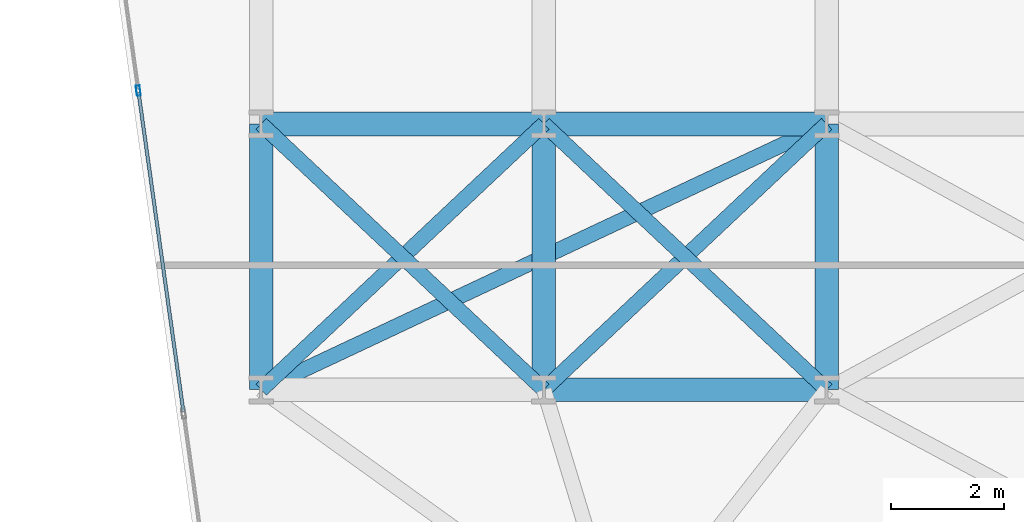
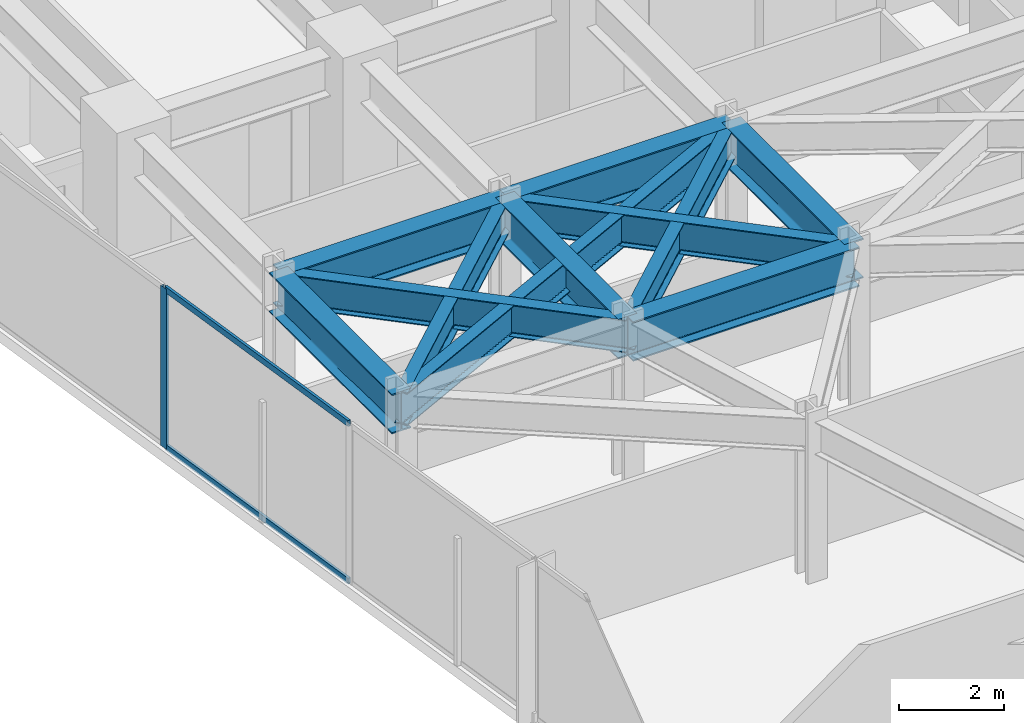
# One storey, part 8 of 25: 11 beams, 3 members, 1 element without a shape of its own.
"""IFC4 building model written with IfcOpenShell, lengths in metres."""

from ifc_helpers import new_model, si_unit, direction, frame, origin, origin_2d, place, context, subcontext, project, spatial, hollow_rectangle, i_section, extrude, material, layer, layer_set, material_profile, profile_set, type_object, element, aggregate, save


model = new_model("IFC4")

# Units and contexts
model_context = context("Model", 3, precision=1e-05, world=origin(), true_north=direction((0.0, 1.0)))
body_context = subcontext(model_context, "Body", "Model", "MODEL_VIEW")
ifc_project = project(units=[si_unit("LENGTHUNIT", "METRE"), si_unit("AREAUNIT", "SQUARE_METRE"), si_unit("VOLUMEUNIT", "CUBIC_METRE"), si_unit("PLANEANGLEUNIT", "RADIAN"), si_unit("MASSUNIT", "GRAM", prefix="KILO")], contexts=[model_context])

# Site, building, storey
site_placement = place(None, origin())
site = spatial("IfcSite", under=ifc_project, at=site_placement, CompositionType="ELEMENT")
building_placement = place(site_placement, origin())
building = spatial("IfcBuilding", under=site, at=building_placement, Name="Kravanh Interchange Tower", CompositionType="ELEMENT")
storey_placement = place(building_placement, frame((0.0, 0.0, 65.5)))
storey = spatial("IfcBuildingStorey", under=building, at=storey_placement, Name="L15", CompositionType="ELEMENT", Elevation=65.5)

# Curtain wall, members
ifc_material_1 = material(Name="Anodised Bronze Aluminium", Category="aluminium")
ifc_layer = layer(ifc_material_1, 0.179931640625)
ifc_layer_set = layer_set([ifc_layer], Name="Unitised Curtain Wall System CW-Z1 Lower Office")
curtain_wall_type = type_object("IfcCurtainWallType", Name="Unitised Curtain Wall System CW-Z1 Lower Office", PredefinedType="NOTDEFINED", material=ifc_layer_set)
curtain_wall_placement = place(storey_placement, origin())
curtain_wall = element("IfcCurtainWall", 1, at=curtain_wall_placement, inside=storey, type_object=curtain_wall_type, Name="L15 Unitised Curtain Wall CW-L15-01", PredefinedType="NOTDEFINED")
ifc_material_2 = material(Name="Anodised Bronze Aluminium", Category="aluminium")
ifc_material_profile_1 = material_profile(ifc_material_2, hollow_rectangle(XDim=0.070068359375, YDim=0.179931640625, WallThickness=0.00390625, at=origin_2d()), Name="ALU70X180X4")
ifc_profile_set_1 = profile_set([ifc_material_profile_1], Name="Anodised Bronze Aluminium")
member_type_1 = type_object("IfcMemberType", Name="Curtain Wall Mullion ALU70X180X4 Bronze", PredefinedType="MULLION", material=ifc_profile_set_1)
member_1_placement = place(storey_placement, frame((6.427490234375, 32.08935546875, 0.0), z_axis=(0.0, 0.0, 1.0), x_axis=(-0.990267585682, -0.139176538065, 0.0)))
member_1 = element("IfcMember", 2, at=member_1_placement, type_object=member_type_1, Name="CW-Z1 mullion 6", PredefinedType="MULLION", context=body_context, shape_type="SweptSolid", body=[
    extrude(hollow_rectangle(XDim=0.070068359375, YDim=0.179931640625, WallThickness=0.00390625, at=origin_2d()), origin(), (0.0, 0.0, 1.0), 3.739990234375),
])
ifc_material_3 = material(Name="Anodised Bronze Aluminium", Category="aluminium")
ifc_material_profile_2 = material_profile(ifc_material_3, hollow_rectangle(XDim=0.06005859375, YDim=0.139892578125, WallThickness=0.00390625, at=origin_2d()), Name="ALU60X140X4")
ifc_profile_set_2 = profile_set([ifc_material_profile_2], Name="Anodised Bronze Aluminium")
member_type_2 = type_object("IfcMemberType", Name="Curtain Wall Transom ALU60X140X4 Bronze", PredefinedType="USERDEFINED", material=ifc_profile_set_2)
member_2_placement = place(storey_placement, frame((7.22509765625, 26.41357421875, 0.030029296875), z_axis=(-0.139158957544, 0.990270056366, 0.0), x_axis=(-0.990270056366, -0.139158957544, 0.0)))
member_2 = element("IfcMember", 3, at=member_2_placement, type_object=member_type_2, Name="CW-Z1 transom 5.1", ObjectType="TRANSOM", PredefinedType="USERDEFINED", context=body_context, shape_type="SweptSolid", body=[
    extrude(hollow_rectangle(XDim=0.06005859375, YDim=0.139892578125, WallThickness=0.00390625, at=origin_2d()), origin(), (0.0, 0.0, 1.0), 5.696533203125),
])
member_3_placement = place(storey_placement, frame((7.22509765625, 26.41357421875, 3.7099609375), z_axis=(-0.139158957544, 0.990270056366, 0.0), x_axis=(-0.990270056366, -0.139158957544, 0.0)))
member_3 = element("IfcMember", 4, at=member_3_placement, type_object=member_type_2, Name="CW-Z1 transom 5.2", ObjectType="TRANSOM", PredefinedType="USERDEFINED", context=body_context, shape_type="SweptSolid", body=[
    extrude(hollow_rectangle(XDim=0.06005859375, YDim=0.139892578125, WallThickness=0.00390625, at=origin_2d()), origin(), (0.0, 0.0, 1.0), 5.696533203125),
])
aggregate(curtain_wall, [member_1, member_2, member_3])

# Beams
ifc_material_4 = material(Name="Structural Steel S355", Category="steel")
ifc_material_profile_3 = material_profile(ifc_material_4, i_section(OverallWidth=0.41796875, OverallDepth=0.927001953125, WebThickness=0.019287109375, FlangeThickness=0.031982421875, FilletRadius=0.028076171875, at=origin_2d()), Name="W36X231")
ifc_profile_set_3 = profile_set([ifc_material_profile_3], Name="Structural Steel S355")
beam_type_1 = type_object("IfcBeamType", Name="Floor Beam W36X231 Structural Steel S355", PredefinedType="BEAM", material=ifc_profile_set_3)
for number, where, z_axis, x_axis, name in (
    (5, (8.60009765625, 26.800048828125, 3.276611328125), (0.0, 1.0, 0.0), (-1.0, 0.0, 0.0), "L15 Primary Floor Girder 66"),
    (6, (13.60009765625, 26.800048828125, 3.276611328125), (0.0, 1.0, 0.0), (-1.0, 0.0, 0.0), "L15 Primary Floor Girder 70"),
):
    element("IfcBeam", number, at=place(storey_placement, frame(where, z_axis=z_axis, x_axis=x_axis)), inside=storey, type_object=beam_type_1, Name=name, PredefinedType="BEAM", context=body_context, shape_type="SweptSolid", body=[
        extrude(i_section(OverallWidth=0.41796875, OverallDepth=0.927001953125, WebThickness=0.019287109375, FlangeThickness=0.031982421875, FilletRadius=0.028076171875, at=origin_2d()), origin(), (0.0, 0.0, 1.0), 4.699951171875),
    ])
beam_1_placement = place(storey_placement, frame((13.60009765625, 26.800048828125, 3.276611328125), z_axis=(1.0, 0.0, 0.0), x_axis=(0.0, 1.0, 0.0)))
element("IfcBeam", 7, at=beam_1_placement, inside=storey, type_object=beam_type_1, Name="L15 Primary Floor Girder 71", PredefinedType="BEAM", context=body_context, shape_type="SweptSolid", body=[
    extrude(i_section(OverallWidth=0.41796875, OverallDepth=0.927001953125, WebThickness=0.019287109375, FlangeThickness=0.031982421875, FilletRadius=0.028076171875, at=origin_2d()), origin(), (0.0, 0.0, 1.0), 5.0),
])
beam_2_placement = place(storey_placement, frame((18.60009765625, 26.800048828125, 3.276611328125), z_axis=(0.0, 1.0, 0.0), x_axis=(-1.0, 0.0, 0.0)))
element("IfcBeam", 8, at=beam_2_placement, inside=storey, type_object=beam_type_1, Name="L15 Primary Floor Girder 74", PredefinedType="BEAM", context=body_context, shape_type="SweptSolid", body=[
    extrude(i_section(OverallWidth=0.41796875, OverallDepth=0.927001953125, WebThickness=0.019287109375, FlangeThickness=0.031982421875, FilletRadius=0.028076171875, at=origin_2d()), origin(), (0.0, 0.0, 1.0), 4.699951171875),
])
for number, where, z_axis, x_axis, name in (
    (9, (8.60009765625, 31.5, 3.276611328125), (1.0, 0.0, 0.0), (0.0, 1.0, 0.0), "L15 Primary Floor Girder 100"),
    (10, (13.60009765625, 31.5, 3.276611328125), (1.0, 0.0, 0.0), (0.0, 1.0, 0.0), "L15 Primary Floor Girder 101"),
):
    element("IfcBeam", number, at=place(storey_placement, frame(where, z_axis=z_axis, x_axis=x_axis)), inside=storey, type_object=beam_type_1, Name=name, PredefinedType="BEAM", context=body_context, shape_type="SweptSolid", body=[
        extrude(i_section(OverallWidth=0.41796875, OverallDepth=0.927001953125, WebThickness=0.019287109375, FlangeThickness=0.031982421875, FilletRadius=0.028076171875, at=origin_2d()), origin(), (0.0, 0.0, 1.0), 5.0),
    ])
ifc_material_5 = material(Name="Structural Steel S355", Category="steel")
ifc_material_profile_4 = material_profile(ifc_material_5, i_section(OverallWidth=0.26708984375, OverallDepth=0.761962890625, WebThickness=0.014404296875, FlangeThickness=0.021484375, FilletRadius=0.02490234375, at=origin_2d()), Name="W30X116")
ifc_profile_set_4 = profile_set([ifc_material_profile_4], Name="Structural Steel S355")
beam_type_2 = type_object("IfcBeamType", Name="Floor Spandrel W30X116 Structural Steel S355", PredefinedType="SPANDREL", material=ifc_profile_set_4)
beam_3_placement = place(storey_placement, frame((8.60009765625, 26.800048828125, 3.35888671875), z_axis=(0.728631219862, 0.684906231131, 0.0), x_axis=(-0.684906231131, 0.728631219862, 0.0)))
element("IfcBeam", 11, at=beam_3_placement, inside=storey, type_object=beam_type_2, Name="L15 Perimeter Spandrel 68", PredefinedType="SPANDREL", context=body_context, shape_type="SweptSolid", body=[
    extrude(i_section(OverallWidth=0.26708984375, OverallDepth=0.761962890625, WebThickness=0.014404296875, FlangeThickness=0.021484375, FilletRadius=0.02490234375, at=origin_2d()), origin(), (0.0, 0.0, 1.0), 6.862060546875),
])
beam_4_placement = place(storey_placement, frame((8.60009765625, 26.800048828125, 3.35888671875), z_axis=(0.905025402916, 0.425357520301, 0.0), x_axis=(-0.425357520301, 0.905025402916, 0.0)))
element("IfcBeam", 12, at=beam_4_placement, inside=storey, type_object=beam_type_2, Name="L15 Perimeter Spandrel 69", PredefinedType="SPANDREL", context=body_context, shape_type="SweptSolid", body=[
    extrude(i_section(OverallWidth=0.26708984375, OverallDepth=0.761962890625, WebThickness=0.014404296875, FlangeThickness=0.021484375, FilletRadius=0.02490234375, at=origin_2d()), origin(), (0.0, 0.0, 1.0), 11.04931640625),
])
for number, where, z_axis, x_axis, name in (
    (13, (13.60009765625, 26.800048828125, 3.35888671875), (-0.728631219862, 0.684906231131, 0.0), (-0.684906231131, -0.728631219862, 0.0), "L15 Perimeter Spandrel 72"),
    (14, (13.60009765625, 26.800048828125, 3.35888671875), (0.728631219862, 0.684906231131, 0.0), (-0.684906231131, 0.728631219862, 0.0), "L15 Perimeter Spandrel 73"),
    (15, (18.60009765625, 26.800048828125, 3.35888671875), (-0.728631219862, 0.684906231131, 0.0), (-0.684906231131, -0.728631219862, 0.0), "L15 Perimeter Spandrel 75"),
):
    element("IfcBeam", number, at=place(storey_placement, frame(where, z_axis=z_axis, x_axis=x_axis)), inside=storey, type_object=beam_type_2, Name=name, PredefinedType="SPANDREL", context=body_context, shape_type="SweptSolid", body=[
        extrude(i_section(OverallWidth=0.26708984375, OverallDepth=0.761962890625, WebThickness=0.014404296875, FlangeThickness=0.021484375, FilletRadius=0.02490234375, at=origin_2d()), origin(), (0.0, 0.0, 1.0), 6.862060546875),
    ])

save(model, "model.ifc")
